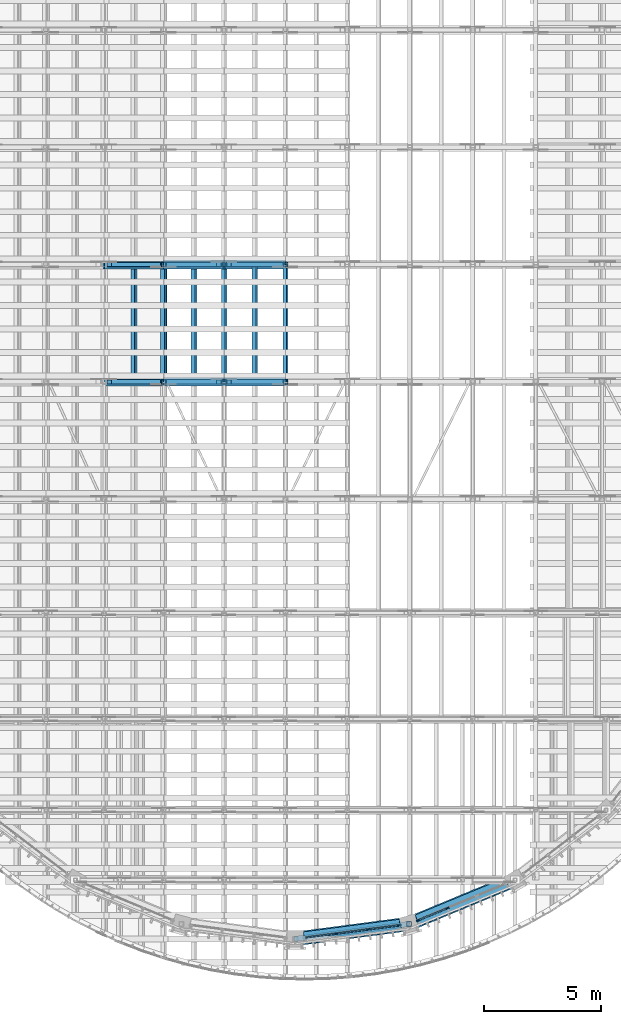
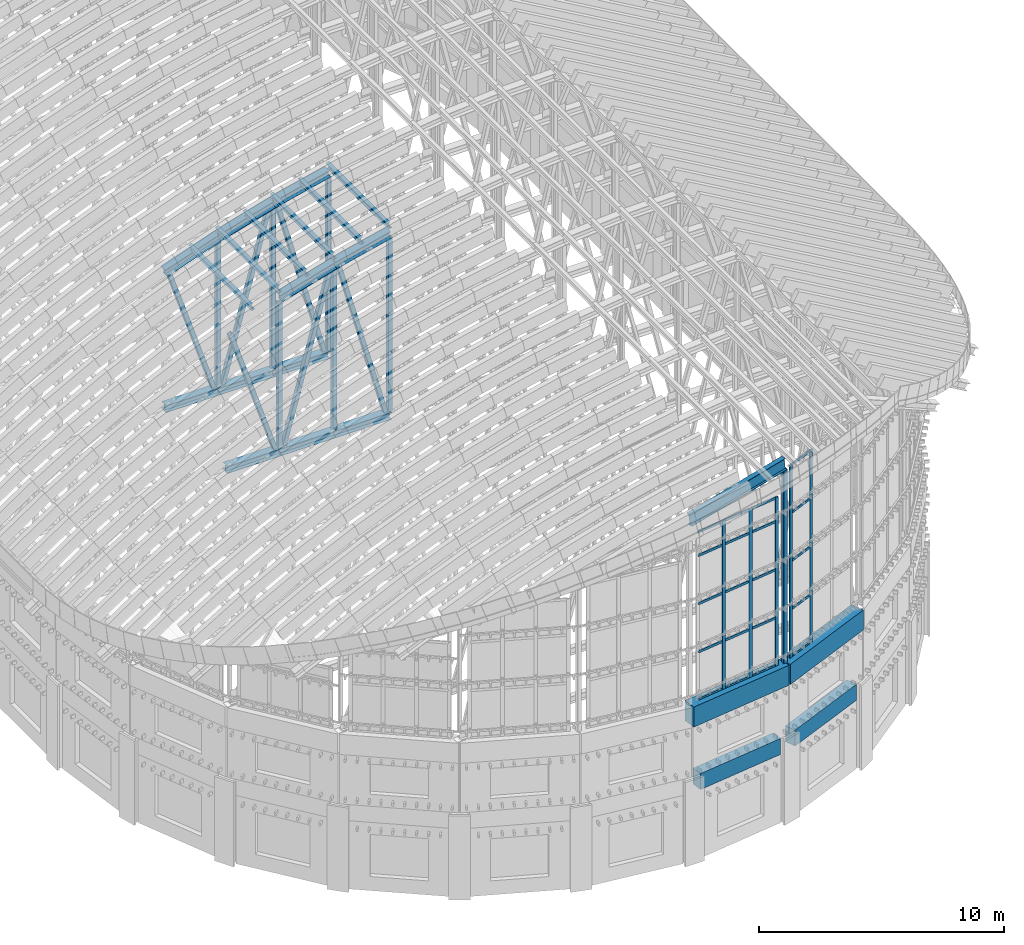
# One storey, part 9 of 105: 55 members, 5 beams, 2 elements without a shape of their own.
"""IFC4 building model written with IfcOpenShell, lengths in metres."""

from ifc_helpers import new_model, si_unit, direction, frame, origin, origin_2d, place, context, subcontext, project, spatial, rectangle, hollow_rectangle, i_section, extrude, material, layer, layer_set, material_profile, profile_set, type_object, element, aggregate, save


model = new_model("IFC4")

# Units and contexts
model_context = context("Model", 3, precision=1e-05, world=origin(), true_north=direction((0.0, 1.0)))
body_context = subcontext(model_context, "Body", "Model", "MODEL_VIEW")
ifc_project = project(units=[si_unit("LENGTHUNIT", "METRE"), si_unit("AREAUNIT", "SQUARE_METRE"), si_unit("VOLUMEUNIT", "CUBIC_METRE"), si_unit("PLANEANGLEUNIT", "RADIAN"), si_unit("MASSUNIT", "GRAM", prefix="KILO")], contexts=[model_context])

# Site, building, storey
site_placement = place(None, origin())
site = spatial("IfcSite", under=ifc_project, at=site_placement, CompositionType="ELEMENT")
building_placement = place(site_placement, origin())
building = spatial("IfcBuilding", under=site, at=building_placement, Name="Wasatch Bagh Community Centre", CompositionType="ELEMENT")
storey_placement = place(building_placement, frame((0.0, 0.0, 16.800048828125)))
storey = spatial("IfcBuildingStorey", under=building, at=storey_placement, Name="L04", CompositionType="ELEMENT", Elevation=16.800048828125)

# Members
ifc_material_1 = material(Name="ASTM A500 Grade C steel", Category="steel")
ifc_material_profile_1 = material_profile(ifc_material_1, hollow_rectangle(XDim=0.203125, YDim=0.203125, WallThickness=0.01171875, InnerFilletRadius=0.01171875, OuterFilletRadius=0.023681640625, at=origin_2d()), Name="HSS8x8x1/2")
ifc_profile_set_1 = profile_set([ifc_material_profile_1], Name="ASTM A500 Grade C steel")
member_type_1 = type_object("IfcMemberType", Name="HSS8x8x1/2 post", PredefinedType="POST", material=ifc_profile_set_1)
member_1_placement = place(storey_placement, frame((30.39501953125, 40.0, 8.070556640625), z_axis=(0.0, 0.0, 1.0), x_axis=(1.0, 0.0, 0.0)))
element("IfcMember", 1, at=member_1_placement, inside=storey, type_object=member_type_1, Name="MH.TA2.PS07", PredefinedType="POST", context=body_context, shape_type="SweptSolid", body=[
    extrude(hollow_rectangle(XDim=0.203125, YDim=0.203125, WallThickness=0.01171875, InnerFilletRadius=0.01171875, OuterFilletRadius=0.023681640625, at=origin_2d()), origin(), (0.0, 0.0, 1.0), 7.228759765625),
])
member_2_placement = place(storey_placement, frame((32.972412109375, 40.0, 8.070556640625), z_axis=(0.0, 0.0, 1.0), x_axis=(1.0, 0.0, 0.0)))
element("IfcMember", 2, at=member_2_placement, inside=storey, type_object=member_type_1, Name="MH.TA2.PS08", PredefinedType="POST", context=body_context, shape_type="SweptSolid", body=[
    extrude(hollow_rectangle(XDim=0.203125, YDim=0.203125, WallThickness=0.01171875, InnerFilletRadius=0.01171875, OuterFilletRadius=0.023681640625, at=origin_2d()), origin(), (0.0, 0.0, 1.0), 7.9931640625),
])
member_3_placement = place(storey_placement, frame((35.585205078125, 40.0, 8.070556640625), z_axis=(0.0, 0.0, 1.0), x_axis=(1.0, 0.0, 0.0)))
element("IfcMember", 3, at=member_3_placement, inside=storey, type_object=member_type_1, Name="MH.TA2.PS09", PredefinedType="POST", context=body_context, shape_type="SweptSolid", body=[
    extrude(hollow_rectangle(XDim=0.203125, YDim=0.203125, WallThickness=0.01171875, InnerFilletRadius=0.01171875, OuterFilletRadius=0.023681640625, at=origin_2d()), origin(), (0.0, 0.0, 1.0), 8.6220703125),
])
member_4_placement = place(storey_placement, frame((30.39501953125, 45.0, 8.070556640625), z_axis=(0.0, 0.0, 1.0), x_axis=(1.0, 0.0, 0.0)))
element("IfcMember", 4, at=member_4_placement, inside=storey, type_object=member_type_1, Name="MH.TA3.PS07", PredefinedType="POST", context=body_context, shape_type="SweptSolid", body=[
    extrude(hollow_rectangle(XDim=0.203125, YDim=0.203125, WallThickness=0.01171875, InnerFilletRadius=0.01171875, OuterFilletRadius=0.023681640625, at=origin_2d()), origin(), (0.0, 0.0, 1.0), 7.228759765625),
])
member_5_placement = place(storey_placement, frame((32.972412109375, 45.0, 8.070556640625), z_axis=(0.0, 0.0, 1.0), x_axis=(1.0, 0.0, 0.0)))
element("IfcMember", 5, at=member_5_placement, inside=storey, type_object=member_type_1, Name="MH.TA3.PS08", PredefinedType="POST", context=body_context, shape_type="SweptSolid", body=[
    extrude(hollow_rectangle(XDim=0.203125, YDim=0.203125, WallThickness=0.01171875, InnerFilletRadius=0.01171875, OuterFilletRadius=0.023681640625, at=origin_2d()), origin(), (0.0, 0.0, 1.0), 7.9931640625),
])
member_6_placement = place(storey_placement, frame((35.585205078125, 45.0, 8.070556640625), z_axis=(0.0, 0.0, 1.0), x_axis=(1.0, 0.0, 0.0)))
element("IfcMember", 6, at=member_6_placement, inside=storey, type_object=member_type_1, Name="MH.TA3.PS09", PredefinedType="POST", context=body_context, shape_type="SweptSolid", body=[
    extrude(hollow_rectangle(XDim=0.203125, YDim=0.203125, WallThickness=0.01171875, InnerFilletRadius=0.01171875, OuterFilletRadius=0.023681640625, at=origin_2d()), origin(), (0.0, 0.0, 1.0), 8.6220703125),
])
member_7_placement = place(storey_placement, frame((40.852783203125, 16.888916015625, 7.699951171875), z_axis=(0.0, 0.0, 1.0), x_axis=(1.0, 0.0, 0.0)))
element("IfcMember", 7, at=member_7_placement, inside=storey, type_object=member_type_1, Name="MH.TS.PS.S7", PredefinedType="POST", context=body_context, shape_type="SweptSolid", body=[
    extrude(hollow_rectangle(XDim=0.203125, YDim=0.203125, WallThickness=0.01171875, InnerFilletRadius=0.01171875, OuterFilletRadius=0.023681640625, at=origin_2d()), origin(), (0.0, 0.0, 1.0), 9.60791015625),
])
ifc_material_profile_2 = material_profile(ifc_material_1, hollow_rectangle(XDim=0.203125, YDim=0.203125, WallThickness=0.0087890625, InnerFilletRadius=0.0087890625, OuterFilletRadius=0.017822265625, at=origin_2d()), Name="HSS8x8x3/8")
ifc_profile_set_2 = profile_set([ifc_material_profile_2], Name="ASTM A500 Grade C steel")
member_type_2 = type_object("IfcMemberType", Name="HSS8x8x3/8 brace", PredefinedType="BRACE", material=ifc_profile_set_2)
member_8_placement = place(storey_placement, frame((30.170166015625, 40.0, 8.1025390625), z_axis=(-0.31047180951, 0.0, 0.950582587417), x_axis=(0.0, -1.0, 0.0)))
element("IfcMember", 8, at=member_8_placement, inside=storey, type_object=member_type_2, Name="MH.TA2.WB06", PredefinedType="BRACE", context=body_context, shape_type="SweptSolid", body=[
    extrude(hollow_rectangle(XDim=0.203125, YDim=0.203125, WallThickness=0.0087890625, InnerFilletRadius=0.0087890625, OuterFilletRadius=0.017822265625, at=origin_2d()), origin(), (0.0, 0.0, 1.0), 6.750732421875),
])
member_9_placement = place(storey_placement, frame((30.60595703125, 40.0, 8.09765625), z_axis=(0.262074056631, 0.0, 0.965047765057), x_axis=(0.0, 1.0, 0.0)))
element("IfcMember", 9, at=member_9_placement, inside=storey, type_object=member_type_2, Name="MH.TA2.WB07", PredefinedType="BRACE", context=body_context, shape_type="SweptSolid", body=[
    extrude(hollow_rectangle(XDim=0.203125, YDim=0.203125, WallThickness=0.0087890625, InnerFilletRadius=0.0087890625, OuterFilletRadius=0.017822265625, at=origin_2d()), origin(), (0.0, 0.0, 1.0), 8.15869140625),
])
member_10_placement = place(storey_placement, frame((35.3740234375, 40.0, 8.097900390625), z_axis=(-0.263471689833, 0.0, 0.964667128421), x_axis=(0.0, -1.0, 0.0)))
element("IfcMember", 10, at=member_10_placement, inside=storey, type_object=member_type_2, Name="MH.TA2.WB08", PredefinedType="BRACE", context=body_context, shape_type="SweptSolid", body=[
    extrude(hollow_rectangle(XDim=0.203125, YDim=0.203125, WallThickness=0.0087890625, InnerFilletRadius=0.0087890625, OuterFilletRadius=0.017822265625, at=origin_2d()), origin(), (0.0, 0.0, 1.0), 8.337890625),
])
member_11_placement = place(storey_placement, frame((30.170166015625, 45.0, 8.1025390625), z_axis=(-0.31047180951, 0.0, 0.950582587417), x_axis=(0.0, -1.0, 0.0)))
element("IfcMember", 11, at=member_11_placement, inside=storey, type_object=member_type_2, Name="MH.TA3.WB06", PredefinedType="BRACE", context=body_context, shape_type="SweptSolid", body=[
    extrude(hollow_rectangle(XDim=0.203125, YDim=0.203125, WallThickness=0.0087890625, InnerFilletRadius=0.0087890625, OuterFilletRadius=0.017822265625, at=origin_2d()), origin(), (0.0, 0.0, 1.0), 6.750732421875),
])
member_12_placement = place(storey_placement, frame((30.60595703125, 45.0, 8.09765625), z_axis=(0.262074056631, 0.0, 0.965047765057), x_axis=(0.0, 1.0, 0.0)))
element("IfcMember", 12, at=member_12_placement, inside=storey, type_object=member_type_2, Name="MH.TA3.WB07", PredefinedType="BRACE", context=body_context, shape_type="SweptSolid", body=[
    extrude(hollow_rectangle(XDim=0.203125, YDim=0.203125, WallThickness=0.0087890625, InnerFilletRadius=0.0087890625, OuterFilletRadius=0.017822265625, at=origin_2d()), origin(), (0.0, 0.0, 1.0), 8.15869140625),
])
member_13_placement = place(storey_placement, frame((35.3740234375, 45.0, 8.097900390625), z_axis=(-0.263471689833, 0.0, 0.964667128421), x_axis=(0.0, -1.0, 0.0)))
element("IfcMember", 13, at=member_13_placement, inside=storey, type_object=member_type_2, Name="MH.TA3.WB08", PredefinedType="BRACE", context=body_context, shape_type="SweptSolid", body=[
    extrude(hollow_rectangle(XDim=0.203125, YDim=0.203125, WallThickness=0.0087890625, InnerFilletRadius=0.0087890625, OuterFilletRadius=0.017822265625, at=origin_2d()), origin(), (0.0, 0.0, 1.0), 8.337890625),
])

# Curtain wall, members
ifc_material_2 = material(Name="Aluminium curtain wall frame with low-iron glass", Category="aluminium")
ifc_layer_1 = layer(ifc_material_2, 0.10009765625)
ifc_layer_set_1 = layer_set([ifc_layer_1], Name="Aluminium curtain wall frame with low-iron glass")
curtain_wall_type_1 = type_object("IfcCurtainWallType", Name="MH end screen curtain wall 7", PredefinedType="NOTDEFINED", material=ifc_layer_set_1)
curtain_wall_1_placement = place(storey_placement, origin())
curtain_wall_1 = element("IfcCurtainWall", 14, at=curtain_wall_1_placement, inside=storey, type_object=curtain_wall_type_1, Name="End screen 7", PredefinedType="NOTDEFINED")
ifc_material_3 = material(Name="Aluminium extrusion", Category="aluminium")
ifc_material_profile_3 = material_profile(ifc_material_3, rectangle(XDim=0.06005859375, YDim=0.159912109375, at=origin_2d()), Name="AL 60x160")
ifc_profile_set_3 = profile_set([ifc_material_profile_3], Name="Aluminium extrusion")
member_type_3 = type_object("IfcMemberType", Name="MH end screen mullion 60x160", PredefinedType="MULLION", material=ifc_profile_set_3)
member_14_placement = place(storey_placement, frame((37.745361328125, 16.479736328125, 7.699951171875), z_axis=(0.0, 0.0, 1.0), x_axis=(-0.13052619222, 0.991444861374, 0.0)))
member_14 = element("IfcMember", 15, at=member_14_placement, type_object=member_type_3, Name="MH-CW7 mullion 2", PredefinedType="MULLION", context=body_context, shape_type="SweptSolid", body=[
    extrude(rectangle(XDim=0.06005859375, YDim=0.159912109375, at=origin_2d()), origin(), (0.0, 0.0, 1.0), 8.39990234375),
])
member_15_placement = place(storey_placement, frame((39.107421875, 16.6591796875, 7.699951171875), z_axis=(0.0, 0.0, 1.0), x_axis=(-0.13052619222, 0.991444861374, 0.0)))
member_15 = element("IfcMember", 16, at=member_15_placement, type_object=member_type_3, Name="MH-CW7 mullion 3", PredefinedType="MULLION", context=body_context, shape_type="SweptSolid", body=[
    extrude(rectangle(XDim=0.06005859375, YDim=0.159912109375, at=origin_2d()), origin(), (0.0, 0.0, 1.0), 8.39990234375),
])
member_16_placement = place(storey_placement, frame((40.43994140625, 16.83447265625, 7.699951171875), z_axis=(0.0, 0.0, 1.0), x_axis=(-0.13052619222, 0.991444861374, 0.0)))
member_16 = element("IfcMember", 17, at=member_16_placement, type_object=member_type_3, Name="MH-CW7 mullion 4", PredefinedType="MULLION", context=body_context, shape_type="SweptSolid", body=[
    extrude(rectangle(XDim=0.06005859375, YDim=0.159912109375, at=origin_2d()), origin(), (0.0, 0.0, 1.0), 8.39990234375),
])

ifc_layer_2 = layer(ifc_material_2, 0.10009765625)
ifc_layer_set_2 = layer_set([ifc_layer_2], Name="Aluminium curtain wall frame with low-iron glass")
curtain_wall_type_2 = type_object("IfcCurtainWallType", Name="MH end screen curtain wall 8", PredefinedType="NOTDEFINED", material=ifc_layer_set_2)
curtain_wall_2_placement = place(storey_placement, origin())
curtain_wall_2 = element("IfcCurtainWall", 18, at=curtain_wall_2_placement, inside=storey, type_object=curtain_wall_type_2, Name="End screen 8", PredefinedType="NOTDEFINED")
member_17_placement = place(storey_placement, frame((41.237548828125, 17.04833984375, 7.699951171875), z_axis=(0.0, 0.0, 1.0), x_axis=(-0.382683432188, 0.923879532585, 0.0)))
member_17 = element("IfcMember", 19, at=member_17_placement, type_object=member_type_3, Name="MH-CW8 mullion 1", PredefinedType="MULLION", context=body_context, shape_type="SweptSolid", body=[
    extrude(rectangle(XDim=0.06005859375, YDim=0.159912109375, at=origin_2d()), origin(), (0.0, 0.0, 1.0), 9.60009765625),
])
member_18_placement = place(storey_placement, frame((42.479248046875, 17.5625, 7.699951171875), z_axis=(0.0, 0.0, 1.0), x_axis=(-0.382683432188, 0.923879532585, 0.0)))
member_18 = element("IfcMember", 20, at=member_18_placement, type_object=member_type_3, Name="MH-CW8 mullion 2", PredefinedType="MULLION", context=body_context, shape_type="SweptSolid", body=[
    extrude(rectangle(XDim=0.06005859375, YDim=0.159912109375, at=origin_2d()), origin(), (0.0, 0.0, 1.0), 9.60009765625),
])

# Member
ifc_material_profile_4 = material_profile(ifc_material_3, rectangle(XDim=0.06005859375, YDim=0.1201171875, at=origin_2d()), Name="AL 60x120")
ifc_profile_set_4 = profile_set([ifc_material_profile_4], Name="Aluminium extrusion")
member_type_4 = type_object("IfcMemberType", Name="MH end screen transom 60x120", PredefinedType="USERDEFINED", material=ifc_profile_set_4)
member_19_placement = place(storey_placement, frame((36.442626953125, 16.308349609375, 7.72998046875), z_axis=(0.991455589929, 0.130444674855, 0.0), x_axis=(-0.130444674855, 0.991455589929, 0.0)))
member_19 = element("IfcMember", 21, at=member_19_placement, type_object=member_type_4, Name="MH-CW7 transom 1.1", ObjectType="TRANSOM", PredefinedType="USERDEFINED", context=body_context, shape_type="SweptSolid", body=[
    extrude(rectangle(XDim=0.06005859375, YDim=0.1201171875, at=origin_2d()), origin(), (0.0, 0.0, 1.0), 1.283935546875),
])

member_20_placement = place(storey_placement, frame((36.442626953125, 16.308349609375, 10.099853515625), z_axis=(0.991455589929, 0.130444674855, 0.0), x_axis=(-0.130444674855, 0.991455589929, 0.0)))
member_20 = element("IfcMember", 22, at=member_20_placement, type_object=member_type_4, Name="MH-CW7 transom 1.2", ObjectType="TRANSOM", PredefinedType="USERDEFINED", context=body_context, shape_type="SweptSolid", body=[
    extrude(rectangle(XDim=0.06005859375, YDim=0.1201171875, at=origin_2d()), origin(), (0.0, 0.0, 1.0), 1.283935546875),
])

member_21_placement = place(storey_placement, frame((36.442626953125, 16.308349609375, 12.5), z_axis=(0.991455589929, 0.130444674855, 0.0), x_axis=(-0.130444674855, 0.991455589929, 0.0)))
member_21 = element("IfcMember", 23, at=member_21_placement, type_object=member_type_4, Name="MH-CW7 transom 1.3", ObjectType="TRANSOM", PredefinedType="USERDEFINED", context=body_context, shape_type="SweptSolid", body=[
    extrude(rectangle(XDim=0.06005859375, YDim=0.1201171875, at=origin_2d()), origin(), (0.0, 0.0, 1.0), 1.283935546875),
])

member_22_placement = place(storey_placement, frame((36.442626953125, 16.308349609375, 14.89990234375), z_axis=(0.991455589929, 0.130444674855, 0.0), x_axis=(-0.130444674855, 0.991455589929, 0.0)))
member_22 = element("IfcMember", 24, at=member_22_placement, type_object=member_type_4, Name="MH-CW7 transom 1.4", ObjectType="TRANSOM", PredefinedType="USERDEFINED", context=body_context, shape_type="SweptSolid", body=[
    extrude(rectangle(XDim=0.06005859375, YDim=0.1201171875, at=origin_2d()), origin(), (0.0, 0.0, 1.0), 1.283935546875),
])

member_23_placement = place(storey_placement, frame((36.442626953125, 16.308349609375, 16.070068359375), z_axis=(0.991455589929, 0.130444674855, 0.0), x_axis=(-0.130444674855, 0.991455589929, 0.0)))
member_23 = element("IfcMember", 25, at=member_23_placement, type_object=member_type_4, Name="MH-CW7 transom 1.5", ObjectType="TRANSOM", PredefinedType="USERDEFINED", context=body_context, shape_type="SweptSolid", body=[
    extrude(rectangle(XDim=0.06005859375, YDim=0.1201171875, at=origin_2d()), origin(), (0.0, 0.0, 1.0), 1.283935546875),
])

member_24_placement = place(storey_placement, frame((37.775146484375, 16.483642578125, 7.72998046875), z_axis=(0.991432780287, 0.130617924389, 0.0), x_axis=(-0.130617924389, 0.991432780287, 0.0)))
member_24 = element("IfcMember", 26, at=member_24_placement, type_object=member_type_4, Name="MH-CW7 transom 2.1", ObjectType="TRANSOM", PredefinedType="USERDEFINED", context=body_context, shape_type="SweptSolid", body=[
    extrude(rectangle(XDim=0.06005859375, YDim=0.1201171875, at=origin_2d()), origin(), (0.0, 0.0, 1.0), 1.31396484375),
])

member_25_placement = place(storey_placement, frame((37.775146484375, 16.483642578125, 10.099853515625), z_axis=(0.991432780287, 0.130617924389, 0.0), x_axis=(-0.130617924389, 0.991432780287, 0.0)))
member_25 = element("IfcMember", 27, at=member_25_placement, type_object=member_type_4, Name="MH-CW7 transom 2.2", ObjectType="TRANSOM", PredefinedType="USERDEFINED", context=body_context, shape_type="SweptSolid", body=[
    extrude(rectangle(XDim=0.06005859375, YDim=0.1201171875, at=origin_2d()), origin(), (0.0, 0.0, 1.0), 1.31396484375),
])

member_26_placement = place(storey_placement, frame((37.775146484375, 16.483642578125, 12.5), z_axis=(0.991432780287, 0.130617924389, 0.0), x_axis=(-0.130617924389, 0.991432780287, 0.0)))
member_26 = element("IfcMember", 28, at=member_26_placement, type_object=member_type_4, Name="MH-CW7 transom 2.3", ObjectType="TRANSOM", PredefinedType="USERDEFINED", context=body_context, shape_type="SweptSolid", body=[
    extrude(rectangle(XDim=0.06005859375, YDim=0.1201171875, at=origin_2d()), origin(), (0.0, 0.0, 1.0), 1.31396484375),
])

member_27_placement = place(storey_placement, frame((37.775146484375, 16.483642578125, 14.89990234375), z_axis=(0.991432780287, 0.130617924389, 0.0), x_axis=(-0.130617924389, 0.991432780287, 0.0)))
member_27 = element("IfcMember", 29, at=member_27_placement, type_object=member_type_4, Name="MH-CW7 transom 2.4", ObjectType="TRANSOM", PredefinedType="USERDEFINED", context=body_context, shape_type="SweptSolid", body=[
    extrude(rectangle(XDim=0.06005859375, YDim=0.1201171875, at=origin_2d()), origin(), (0.0, 0.0, 1.0), 1.31396484375),
])

member_28_placement = place(storey_placement, frame((37.775146484375, 16.483642578125, 16.070068359375), z_axis=(0.991432780287, 0.130617924389, 0.0), x_axis=(-0.130617924389, 0.991432780287, 0.0)))
member_28 = element("IfcMember", 30, at=member_28_placement, type_object=member_type_4, Name="MH-CW7 transom 2.5", ObjectType="TRANSOM", PredefinedType="USERDEFINED", context=body_context, shape_type="SweptSolid", body=[
    extrude(rectangle(XDim=0.06005859375, YDim=0.1201171875, at=origin_2d()), origin(), (0.0, 0.0, 1.0), 1.31396484375),
])

member_29_placement = place(storey_placement, frame((39.13720703125, 16.6630859375, 7.72998046875), z_axis=(0.991455589929, 0.130444674855, 0.0), x_axis=(-0.130444674855, 0.991455589929, 0.0)))
member_29 = element("IfcMember", 31, at=member_29_placement, type_object=member_type_4, Name="MH-CW7 transom 3.1", ObjectType="TRANSOM", PredefinedType="USERDEFINED", context=body_context, shape_type="SweptSolid", body=[
    extrude(rectangle(XDim=0.06005859375, YDim=0.1201171875, at=origin_2d()), origin(), (0.0, 0.0, 1.0), 1.283935546875),
])

member_30_placement = place(storey_placement, frame((39.13720703125, 16.6630859375, 10.099853515625), z_axis=(0.991455589929, 0.130444674855, 0.0), x_axis=(-0.130444674855, 0.991455589929, 0.0)))
member_30 = element("IfcMember", 32, at=member_30_placement, type_object=member_type_4, Name="MH-CW7 transom 3.2", ObjectType="TRANSOM", PredefinedType="USERDEFINED", context=body_context, shape_type="SweptSolid", body=[
    extrude(rectangle(XDim=0.06005859375, YDim=0.1201171875, at=origin_2d()), origin(), (0.0, 0.0, 1.0), 1.283935546875),
])

member_31_placement = place(storey_placement, frame((39.13720703125, 16.6630859375, 12.5), z_axis=(0.991455589929, 0.130444674855, 0.0), x_axis=(-0.130444674855, 0.991455589929, 0.0)))
member_31 = element("IfcMember", 33, at=member_31_placement, type_object=member_type_4, Name="MH-CW7 transom 3.3", ObjectType="TRANSOM", PredefinedType="USERDEFINED", context=body_context, shape_type="SweptSolid", body=[
    extrude(rectangle(XDim=0.06005859375, YDim=0.1201171875, at=origin_2d()), origin(), (0.0, 0.0, 1.0), 1.283935546875),
])

member_32_placement = place(storey_placement, frame((39.13720703125, 16.6630859375, 14.89990234375), z_axis=(0.991455589929, 0.130444674855, 0.0), x_axis=(-0.130444674855, 0.991455589929, 0.0)))
member_32 = element("IfcMember", 34, at=member_32_placement, type_object=member_type_4, Name="MH-CW7 transom 3.4", ObjectType="TRANSOM", PredefinedType="USERDEFINED", context=body_context, shape_type="SweptSolid", body=[
    extrude(rectangle(XDim=0.06005859375, YDim=0.1201171875, at=origin_2d()), origin(), (0.0, 0.0, 1.0), 1.283935546875),
])

member_33_placement = place(storey_placement, frame((39.13720703125, 16.6630859375, 16.070068359375), z_axis=(0.991455589929, 0.130444674855, 0.0), x_axis=(-0.130444674855, 0.991455589929, 0.0)))
member_33 = element("IfcMember", 35, at=member_33_placement, type_object=member_type_4, Name="MH-CW7 transom 3.5", ObjectType="TRANSOM", PredefinedType="USERDEFINED", context=body_context, shape_type="SweptSolid", body=[
    extrude(rectangle(XDim=0.06005859375, YDim=0.1201171875, at=origin_2d()), origin(), (0.0, 0.0, 1.0), 1.283935546875),
])

aggregate(curtain_wall_1, [member_14, member_15, member_16, member_19, member_20, member_21, member_22, member_23, member_24, member_25, member_26, member_27, member_28, member_29, member_30, member_31, member_32, member_33])

member_34_placement = place(storey_placement, frame((41.265380859375, 17.059814453125, 7.72998046875), z_axis=(0.923896306793, 0.382642933155, 0.0), x_axis=(-0.382642933155, 0.923896306793, 0.0)))
member_34 = element("IfcMember", 36, at=member_34_placement, type_object=member_type_4, Name="MH-CW8 transom 1.1", ObjectType="TRANSOM", PredefinedType="USERDEFINED", context=body_context, shape_type="SweptSolid", body=[
    extrude(rectangle(XDim=0.06005859375, YDim=0.1201171875, at=origin_2d()), origin(), (0.0, 0.0, 1.0), 1.28369140625),
])

member_35_placement = place(storey_placement, frame((41.265380859375, 17.059814453125, 10.099853515625), z_axis=(0.923896306793, 0.382642933155, 0.0), x_axis=(-0.382642933155, 0.923896306793, 0.0)))
member_35 = element("IfcMember", 37, at=member_35_placement, type_object=member_type_4, Name="MH-CW8 transom 1.2", ObjectType="TRANSOM", PredefinedType="USERDEFINED", context=body_context, shape_type="SweptSolid", body=[
    extrude(rectangle(XDim=0.06005859375, YDim=0.1201171875, at=origin_2d()), origin(), (0.0, 0.0, 1.0), 1.28369140625),
])

member_36_placement = place(storey_placement, frame((41.265380859375, 17.059814453125, 12.5), z_axis=(0.923896306793, 0.382642933155, 0.0), x_axis=(-0.382642933155, 0.923896306793, 0.0)))
member_36 = element("IfcMember", 38, at=member_36_placement, type_object=member_type_4, Name="MH-CW8 transom 1.3", ObjectType="TRANSOM", PredefinedType="USERDEFINED", context=body_context, shape_type="SweptSolid", body=[
    extrude(rectangle(XDim=0.06005859375, YDim=0.1201171875, at=origin_2d()), origin(), (0.0, 0.0, 1.0), 1.28369140625),
])

member_37_placement = place(storey_placement, frame((41.265380859375, 17.059814453125, 14.89990234375), z_axis=(0.923896306793, 0.382642933155, 0.0), x_axis=(-0.382642933155, 0.923896306793, 0.0)))
member_37 = element("IfcMember", 39, at=member_37_placement, type_object=member_type_4, Name="MH-CW8 transom 1.4", ObjectType="TRANSOM", PredefinedType="USERDEFINED", context=body_context, shape_type="SweptSolid", body=[
    extrude(rectangle(XDim=0.06005859375, YDim=0.1201171875, at=origin_2d()), origin(), (0.0, 0.0, 1.0), 1.28369140625),
])

member_38_placement = place(storey_placement, frame((41.265380859375, 17.059814453125, 17.27001953125), z_axis=(0.923896306793, 0.382642933155, 0.0), x_axis=(-0.382642933155, 0.923896306793, 0.0)))
member_38 = element("IfcMember", 40, at=member_38_placement, type_object=member_type_4, Name="MH-CW8 transom 1.5", ObjectType="TRANSOM", PredefinedType="USERDEFINED", context=body_context, shape_type="SweptSolid", body=[
    extrude(rectangle(XDim=0.06005859375, YDim=0.1201171875, at=origin_2d()), origin(), (0.0, 0.0, 1.0), 1.28369140625),
])

aggregate(curtain_wall_2, [member_17, member_18, member_34, member_35, member_36, member_37, member_38])

# Beams
ifc_material_4 = material(Name="ASTM A992 Grade 50 steel", Category="steel")
ifc_material_profile_5 = material_profile(ifc_material_4, i_section(OverallWidth=0.228271484375, OverallDepth=0.607177734375, WebThickness=0.01123046875, FlangeThickness=0.017333984375, at=origin_2d()), Name="W24x76")
ifc_profile_set_5 = profile_set([ifc_material_profile_5], Name="ASTM A992 Grade 50 steel")
beam_type_1 = type_object("IfcBeamType", Name="MH girder W24x76", PredefinedType="BEAM", material=ifc_profile_set_5)
beam_placement = place(storey_placement, frame((36.0, 16.25, 16.866455078125), z_axis=(0.980071745414, 0.129035959035, 0.151026802646), x_axis=(-0.130533218363, 0.991443936339, 0.0)))
element("IfcBeam", 41, at=beam_placement, inside=storey, type_object=beam_type_1, Name="MH.TS.GD2", PredefinedType="BEAM", context=body_context, shape_type="SweptSolid", body=[
    extrude(i_section(OverallWidth=0.228271484375, OverallDepth=0.607177734375, WebThickness=0.01123046875, FlangeThickness=0.017333984375, at=origin_2d()), origin(), (0.0, 0.0, 1.0), 4.951416015625),
])
ifc_material_5 = material(Name="Concrete C35", Category="concrete")
ifc_material_profile_6 = material_profile(ifc_material_5, rectangle(XDim=0.5, YDim=0.800048828125, at=origin_2d()), Name="RC 500x800")
ifc_profile_set_6 = profile_set([ifc_material_profile_6], Name="Concrete C35")
beam_type_2 = type_object("IfcBeamType", Name="MH ring beam RC 500x800", PredefinedType="BEAM", material=ifc_profile_set_6)
for number, where, z_axis, x_axis, name in (
    (42, (36.383056640625, 16.300537109375, 3.800048828125), (0.991450464722, 0.130483623501, 0.0), (-0.130483623501, 0.991450464722, 0.0), "Ring beam 21.0 S6-S7"),
    (43, (41.2099609375, 17.036865234375, 3.800048828125), (0.923877504262, 0.382688328955, 0.0), (-0.382688328955, 0.923877504262, 0.0), "Ring beam 21.0 S7-S8"),
):
    element("IfcBeam", number, at=place(storey_placement, frame(where, z_axis=z_axis, x_axis=x_axis)), inside=storey, type_object=beam_type_2, Name=name, PredefinedType="BEAM", context=body_context, shape_type="SweptSolid", body=[
        extrude(rectangle(XDim=0.5, YDim=0.800048828125, at=origin_2d()), origin(), (0.0, 0.0, 1.0), 4.121826171875),
    ])
ifc_material_profile_7 = material_profile(ifc_material_5, rectangle(XDim=0.60009765625, YDim=1.0, at=origin_2d()), Name="RC 600x1000")
ifc_profile_set_7 = profile_set([ifc_material_profile_7], Name="Concrete C35")
beam_type_3 = type_object("IfcBeamType", Name="MH ring beam RC 600x1000", PredefinedType="BEAM", material=ifc_profile_set_7)
for number, where, z_axis, x_axis, name in (
    (44, (36.0, 16.25, 7.199951171875), (0.991443936339, 0.130533218363, 0.0), (-0.130533218363, 0.991443936339, 0.0), "Ring beam 24.5 S6-S7"),
    (45, (40.852783203125, 16.888916015625, 7.199951171875), (0.923887958328, 0.382663090012, 0.0), (-0.382663090012, 0.923887958328, 0.0), "Ring beam 24.5 S7-S8"),
):
    element("IfcBeam", number, at=place(storey_placement, frame(where, z_axis=z_axis, x_axis=x_axis)), inside=storey, type_object=beam_type_3, Name=name, PredefinedType="BEAM", context=body_context, shape_type="SweptSolid", body=[
        extrude(rectangle(XDim=0.60009765625, YDim=1.0, at=origin_2d()), origin(), (0.0, 0.0, 1.0), 4.894775390625),
    ])

# Members
ifc_material_profile_8 = material_profile(ifc_material_4, i_section(OverallWidth=0.164794921875, OverallDepth=0.309814453125, WebThickness=0.005859375, FlangeThickness=0.009765625, at=origin_2d()), Name="W12x26")
ifc_profile_set_8 = profile_set([ifc_material_profile_8], Name="ASTM A992 Grade 50 steel")
member_type_5 = type_object("IfcMemberType", Name="W12x26 purlin", PredefinedType="PURLIN", material=ifc_profile_set_8)
for number, where, z_axis, x_axis, name in (
    (46, (29.12744140625, 40.0, 15.44580078125), (0.0, 1.0, 0.0), (-0.944194315577, 0.0, -0.329388971326), "MH.TA2-TA3.PU13"),
    (47, (30.39501953125, 40.0, 15.887939453125), (0.0, 1.0, 0.0), (-0.944194315577, 0.0, -0.329388971326), "MH.TA2-TA3.PU14"),
    (48, (31.683837890625, 40.0, 16.261474609375), (0.0, 1.0, 0.0), (-0.959937587317, 0.0, -0.280213897686), "MH.TA2-TA3.PU15"),
    (49, (32.972412109375, 40.0, 16.6376953125), (0.0, 1.0, 0.0), (-0.959937587317, 0.0, -0.280213897686), "MH.TA2-TA3.PU16"),
    (50, (34.27880859375, 40.0, 16.944580078125), (0.0, 1.0, 0.0), (-0.973121628566, 0.0, -0.23029176281), "MH.TA2-TA3.PU17"),
    (51, (35.585205078125, 40.0, 17.25390625), (0.0, 1.0, 0.0), (-0.973121628566, 0.0, -0.23029176281), "MH.TA2-TA3.PU18"),
):
    element("IfcMember", number, at=place(storey_placement, frame(where, z_axis=z_axis, x_axis=x_axis)), inside=storey, type_object=member_type_5, Name=name, PredefinedType="PURLIN", context=body_context, shape_type="SweptSolid", body=[
        extrude(i_section(OverallWidth=0.164794921875, OverallDepth=0.309814453125, WebThickness=0.005859375, FlangeThickness=0.009765625, at=origin_2d()), origin(), (0.0, 0.0, 1.0), 5.0),
    ])
ifc_material_profile_9 = material_profile(ifc_material_4, i_section(OverallWidth=0.373291015625, OverallDepth=0.368408203125, WebThickness=0.014892578125, FlangeThickness=0.02392578125, at=origin_2d()), Name="W14x120")
ifc_profile_set_9 = profile_set([ifc_material_profile_9], Name="ASTM A992 Grade 50 steel")
member_type_6 = type_object("IfcMemberType", Name="W14x120 chord", PredefinedType="CHORD", material=ifc_profile_set_9)
for number, where, z_axis, x_axis, name in (
    (52, (30.400146484375, 40.0, 15.531982421875), (0.959628119174, 0.0, 0.281271884288), (0.0, 1.0, 0.0), "MH.TA2.TC09"),
    (53, (32.9775390625, 40.0, 16.287109375), (0.972931420712, 0.0, 0.23109402976), (0.0, 1.0, 0.0), "MH.TA2.TC10"),
):
    element("IfcMember", number, at=place(storey_placement, frame(where, z_axis=z_axis, x_axis=x_axis)), inside=storey, type_object=member_type_6, Name=name, PredefinedType="CHORD", context=body_context, shape_type="SweptSolid", body=[
        extrude(i_section(OverallWidth=0.373291015625, OverallDepth=0.368408203125, WebThickness=0.014892578125, FlangeThickness=0.02392578125, at=origin_2d()), origin(), (0.0, 0.0, 1.0), 2.675048828125),
    ])
member_39_placement = place(storey_placement, frame((27.864990234375, 45.0, 14.644287109375), z_axis=(0.943774394327, 0.0, 0.330590218568), x_axis=(0.0, 1.0, 0.0)))
element("IfcMember", 54, at=member_39_placement, inside=storey, type_object=member_type_6, Name="MH.TA3.TC08", PredefinedType="CHORD", context=body_context, shape_type="SweptSolid", body=[
    extrude(i_section(OverallWidth=0.373291015625, OverallDepth=0.368408203125, WebThickness=0.014892578125, FlangeThickness=0.02392578125, at=origin_2d()), origin(), (0.0, 0.0, 1.0), 2.675537109375),
])
for number, where, z_axis, x_axis, name in (
    (55, (30.400146484375, 45.0, 15.531982421875), (0.959628119174, 0.0, 0.281271884288), (0.0, 1.0, 0.0), "MH.TA3.TC09"),
    (56, (32.9775390625, 45.0, 16.287109375), (0.972931420712, 0.0, 0.23109402976), (0.0, 1.0, 0.0), "MH.TA3.TC10"),
):
    element("IfcMember", number, at=place(storey_placement, frame(where, z_axis=z_axis, x_axis=x_axis)), inside=storey, type_object=member_type_6, Name=name, PredefinedType="CHORD", context=body_context, shape_type="SweptSolid", body=[
        extrude(i_section(OverallWidth=0.373291015625, OverallDepth=0.368408203125, WebThickness=0.014892578125, FlangeThickness=0.02392578125, at=origin_2d()), origin(), (0.0, 0.0, 1.0), 2.675048828125),
    ])
ifc_material_profile_10 = material_profile(ifc_material_4, i_section(OverallWidth=0.368408203125, OverallDepth=0.355712890625, WebThickness=0.01123046875, FlangeThickness=0.01806640625, at=origin_2d()), Name="W14x90")
ifc_profile_set_10 = profile_set([ifc_material_profile_10], Name="ASTM A992 Grade 50 steel")
member_type_7 = type_object("IfcMemberType", Name="W14x90 chord", PredefinedType="CHORD", material=ifc_profile_set_10)
member_40_placement = place(storey_placement, frame((27.85986328125, 40.0, 7.892822265625), z_axis=(1.0, 0.0, 0.0), x_axis=(0.0, 1.0, 0.0)))
element("IfcMember", 57, at=member_40_placement, inside=storey, type_object=member_type_7, Name="MH.TA2.BC06", PredefinedType="CHORD", context=body_context, shape_type="SweptSolid", body=[
    extrude(i_section(OverallWidth=0.368408203125, OverallDepth=0.355712890625, WebThickness=0.01123046875, FlangeThickness=0.01806640625, at=origin_2d()), origin(), (0.0, 0.0, 1.0), 2.53515625),
])
member_41_placement = place(storey_placement, frame((30.39501953125, 40.0, 7.892822265625), z_axis=(1.0, 0.0, 0.0), x_axis=(0.0, 1.0, 0.0)))
element("IfcMember", 58, at=member_41_placement, inside=storey, type_object=member_type_7, Name="MH.TA2.BC07", PredefinedType="CHORD", context=body_context, shape_type="SweptSolid", body=[
    extrude(i_section(OverallWidth=0.368408203125, OverallDepth=0.355712890625, WebThickness=0.01123046875, FlangeThickness=0.01806640625, at=origin_2d()), origin(), (0.0, 0.0, 1.0), 2.577392578125),
])
member_42_placement = place(storey_placement, frame((32.972412109375, 40.0, 7.892822265625), z_axis=(1.0, 0.0, 0.0), x_axis=(0.0, 1.0, 0.0)))
element("IfcMember", 59, at=member_42_placement, inside=storey, type_object=member_type_7, Name="MH.TA2.BC08", PredefinedType="CHORD", context=body_context, shape_type="SweptSolid", body=[
    extrude(i_section(OverallWidth=0.368408203125, OverallDepth=0.355712890625, WebThickness=0.01123046875, FlangeThickness=0.01806640625, at=origin_2d()), origin(), (0.0, 0.0, 1.0), 2.61279296875),
])
member_43_placement = place(storey_placement, frame((27.85986328125, 45.0, 7.892822265625), z_axis=(1.0, 0.0, 0.0), x_axis=(0.0, 1.0, 0.0)))
element("IfcMember", 60, at=member_43_placement, inside=storey, type_object=member_type_7, Name="MH.TA3.BC06", PredefinedType="CHORD", context=body_context, shape_type="SweptSolid", body=[
    extrude(i_section(OverallWidth=0.368408203125, OverallDepth=0.355712890625, WebThickness=0.01123046875, FlangeThickness=0.01806640625, at=origin_2d()), origin(), (0.0, 0.0, 1.0), 2.53515625),
])
member_44_placement = place(storey_placement, frame((30.39501953125, 45.0, 7.892822265625), z_axis=(1.0, 0.0, 0.0), x_axis=(0.0, 1.0, 0.0)))
element("IfcMember", 61, at=member_44_placement, inside=storey, type_object=member_type_7, Name="MH.TA3.BC07", PredefinedType="CHORD", context=body_context, shape_type="SweptSolid", body=[
    extrude(i_section(OverallWidth=0.368408203125, OverallDepth=0.355712890625, WebThickness=0.01123046875, FlangeThickness=0.01806640625, at=origin_2d()), origin(), (0.0, 0.0, 1.0), 2.577392578125),
])
member_45_placement = place(storey_placement, frame((32.972412109375, 45.0, 7.892822265625), z_axis=(1.0, 0.0, 0.0), x_axis=(0.0, 1.0, 0.0)))
element("IfcMember", 62, at=member_45_placement, inside=storey, type_object=member_type_7, Name="MH.TA3.BC08", PredefinedType="CHORD", context=body_context, shape_type="SweptSolid", body=[
    extrude(i_section(OverallWidth=0.368408203125, OverallDepth=0.355712890625, WebThickness=0.01123046875, FlangeThickness=0.01806640625, at=origin_2d()), origin(), (0.0, 0.0, 1.0), 2.61279296875),
])

save(model, "model.ifc")
